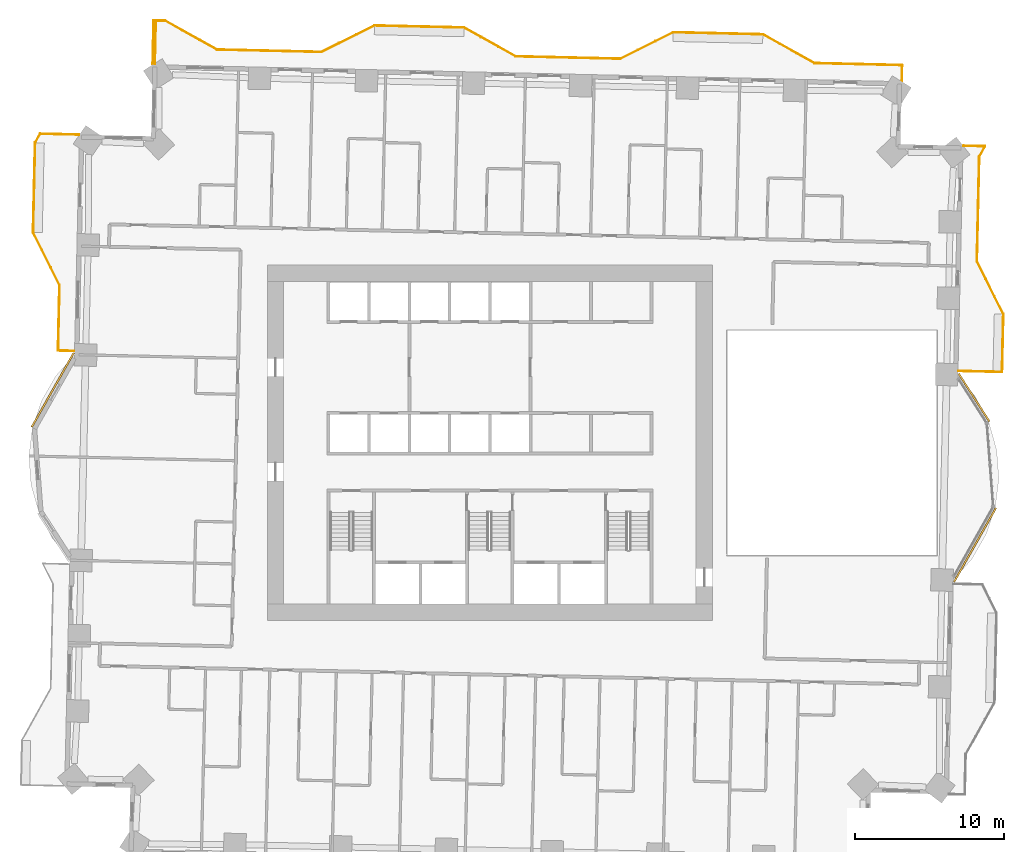
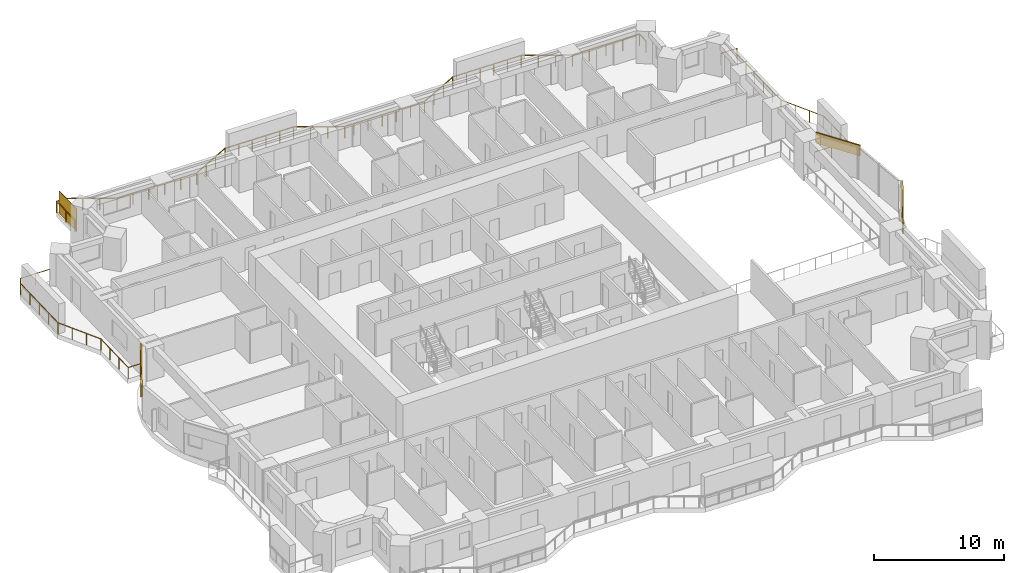
# One storey, part 19 of 19: 3 coverings, 3 railings, 1 shading device.
"""IFC4 building model written with IfcOpenShell, lengths in metres."""

from ifc_helpers import new_model, si_unit, direction, frame, frame_2d, origin, origin_2d, place, context, subcontext, project, spatial, rectangle, extrude, material, layer, layer_set, type_object, element, save


model = new_model("IFC4")

# Units and contexts
model_context = context("Model", 3, precision=1e-05, world=origin(), true_north=direction((0.0, 1.0)))
body_context = subcontext(model_context, "Body", "Model", "MODEL_VIEW")
ifc_project = project(units=[si_unit("LENGTHUNIT", "METRE"), si_unit("AREAUNIT", "SQUARE_METRE"), si_unit("VOLUMEUNIT", "CUBIC_METRE"), si_unit("PLANEANGLEUNIT", "RADIAN"), si_unit("MASSUNIT", "GRAM", prefix="KILO")], contexts=[model_context])

# Site, building, storey
site_placement = place(None, origin())
site = spatial("IfcSite", under=ifc_project, at=site_placement, CompositionType="ELEMENT")
building_placement = place(site_placement, origin())
building = spatial("IfcBuilding", under=site, at=building_placement, Name="Mangrove Gate Tower", CompositionType="ELEMENT")
storey_placement = place(building_placement, frame((0.0, 0.0, 63.89990234375)))
storey = spatial("IfcBuildingStorey", under=building, at=storey_placement, Name="L15", CompositionType="ELEMENT", Elevation=63.89990234375)

# Railings
ifc_material_1 = material(Name="Stainless steel grade 316 with laminated glass infill", Category="steel")
railing_type = type_object("IfcRailingType", Name="Balcony guard 1100", PredefinedType="GUARDRAIL", material=ifc_material_1)
railing_1_placement = place(storey_placement, frame((31.362060546875, 4.802001953125, 0.0)))
element("IfcRailing", 1, at=railing_1_placement, inside=storey, type_object=railing_type, Name="GUARD L15 E2", PredefinedType="GUARDRAIL", context=body_context, shape_type="SweptSolid", body=[
    extrude(rectangle(XDim=0.048095703125, YDim=0.048095703125, at=origin_2d()), frame((0.0, 0.0, 1.076171875), z_axis=(0.999743349437, -0.022654696127, 0.0), x_axis=(0.022654696127, 0.999743349437, 0.0)), (0.0, 0.0, 1.0), 2.90966796875),
    extrude(rectangle(XDim=0.048095703125, YDim=0.048095703125, at=origin_2d()), frame((2.908935546875, -0.06591796875, 1.076171875), z_axis=(0.022681332769, 0.999742745482, 0.0), x_axis=(-0.999742745482, 0.022681332769, 0.0)), (0.0, 0.0, 1.0), 3.875),
    extrude(rectangle(XDim=0.048095703125, YDim=0.048095703125, at=origin_2d()), frame((2.996826171875, 3.80810546875, 1.076171875), z_axis=(-0.447090238995, 0.89448885862, 0.0), x_axis=(-0.89448885862, -0.447090238995, 0.0)), (0.0, 0.0, 1.0), 3.95849609375),
    extrude(rectangle(XDim=0.048095703125, YDim=0.048095703125, at=origin_2d()), frame((1.22705078125, 7.348876953125, 1.076171875), z_axis=(0.022705559911, 0.999742195543, 0.0), x_axis=(-0.999742195543, 0.022705559911, 0.0)), (0.0, 0.0, 1.0), 6.999755859375),
    extrude(rectangle(XDim=0.048095703125, YDim=0.048095703125, at=origin_2d()), frame((1.385986328125, 14.346923828125, 1.076171875), z_axis=(0.487579417205, 0.873078640168, 0.0), x_axis=(-0.873078640168, 0.487579417205, 0.0)), (0.0, 0.0, 1.0), 0.791748046875),
    extrude(rectangle(XDim=0.048095703125, YDim=0.048095703125, at=origin_2d()), frame((1.77197265625, 15.0380859375, 1.076171875), z_axis=(-0.999749965901, 0.022360806818, 0.0), x_axis=(-0.022360806818, -0.999749965901, 0.0)), (0.0, 0.0, 1.0), 1.43017578125),
    extrude(rectangle(XDim=0.0419921875, YDim=0.0419921875, at=origin_2d()), origin(), (0.0, 0.0, 1.0), 1.052001953125),
    extrude(rectangle(XDim=0.0419921875, YDim=0.0419921875, at=origin_2d()), frame((1.45458984375, -0.032958984375, 0.0)), (0.0, 0.0, 1.0), 1.052001953125),
    extrude(rectangle(XDim=0.0419921875, YDim=0.0419921875, at=origin_2d()), frame((2.908935546875, -0.06591796875, 0.0)), (0.0, 0.0, 1.0), 1.052001953125),
    extrude(rectangle(XDim=0.0419921875, YDim=0.0419921875, at=origin_2d()), frame((2.938232421875, 1.225341796875, 0.0)), (0.0, 0.0, 1.0), 1.052001953125),
    extrude(rectangle(XDim=0.0419921875, YDim=0.0419921875, at=origin_2d()), frame((2.967529296875, 2.516845703125, 0.0)), (0.0, 0.0, 1.0), 1.052001953125),
    extrude(rectangle(XDim=0.0419921875, YDim=0.0419921875, at=origin_2d()), frame((2.996826171875, 3.80810546875, 0.0)), (0.0, 0.0, 1.0), 1.052001953125),
    extrude(rectangle(XDim=0.0419921875, YDim=0.0419921875, at=origin_2d()), frame((2.406982421875, 4.98828125, 0.0)), (0.0, 0.0, 1.0), 1.052001953125),
    extrude(rectangle(XDim=0.0419921875, YDim=0.0419921875, at=origin_2d()), frame((1.81689453125, 6.168701171875, 0.0)), (0.0, 0.0, 1.0), 1.052001953125),
    extrude(rectangle(XDim=0.0419921875, YDim=0.0419921875, at=origin_2d()), frame((1.22705078125, 7.348876953125, 0.0)), (0.0, 0.0, 1.0), 1.052001953125),
    extrude(rectangle(XDim=0.0419921875, YDim=0.0419921875, at=origin_2d()), frame((1.2587890625, 8.74853515625, 0.0)), (0.0, 0.0, 1.0), 1.052001953125),
    extrude(rectangle(XDim=0.0419921875, YDim=0.0419921875, at=origin_2d()), frame((1.29052734375, 10.148193359375, 0.0)), (0.0, 0.0, 1.0), 1.052001953125),
    extrude(rectangle(XDim=0.0419921875, YDim=0.0419921875, at=origin_2d()), frame((1.322509765625, 11.547607421875, 0.0)), (0.0, 0.0, 1.0), 1.052001953125),
    extrude(rectangle(XDim=0.0419921875, YDim=0.0419921875, at=origin_2d()), frame((1.354248046875, 12.947265625, 0.0)), (0.0, 0.0, 1.0), 1.052001953125),
    extrude(rectangle(XDim=0.0419921875, YDim=0.0419921875, at=origin_2d()), frame((1.385986328125, 14.346923828125, 0.0)), (0.0, 0.0, 1.0), 1.052001953125),
    extrude(rectangle(XDim=0.0419921875, YDim=0.0419921875, at=origin_2d()), frame((1.77197265625, 15.0380859375, 0.0)), (0.0, 0.0, 1.0), 1.052001953125),
    extrude(rectangle(XDim=0.0419921875, YDim=0.0419921875, at=origin_2d()), frame((0.342041015625, 15.070068359375, 0.0)), (0.0, 0.0, 1.0), 1.052001953125),
])
railing_2_placement = place(storey_placement, frame((27.56103515625, 24.2080078125, 0.0)))
element("IfcRailing", 2, at=railing_2_placement, inside=storey, type_object=railing_type, Name="GUARD L15 N1", PredefinedType="GUARDRAIL", context=body_context, shape_type="SweptSolid", body=[
    extrude(rectangle(XDim=0.048095703125, YDim=0.048095703125, at=origin_2d()), frame((0.0, 0.0, 1.076171875), z_axis=(0.022585293253, 0.999744919731, 0.0), x_axis=(-0.999744919731, 0.022585293253, 0.0)), (0.0, 0.0, 1.0), 1.059326171875),
    extrude(rectangle(XDim=0.048095703125, YDim=0.048095703125, at=origin_2d()), frame((0.02392578125, 1.05908203125, 1.076171875), z_axis=(-0.999740006418, 0.02280174485, 0.0), x_axis=(-0.02280174485, -0.999740006418, 0.0)), (0.0, 0.0, 1.0), 5.867431640625),
    extrude(rectangle(XDim=0.048095703125, YDim=0.048095703125, at=origin_2d()), frame((-5.842041015625, 1.19287109375, 1.076171875), z_axis=(-0.873335618354, 0.48711897696, 0.0), x_axis=(-0.48711897696, -0.873335618354, 0.0)), (0.0, 0.0, 1.0), 3.95849609375),
    extrude(rectangle(XDim=0.048095703125, YDim=0.048095703125, at=origin_2d()), frame((-9.299072265625, 3.12109375, 1.076171875), z_axis=(-0.999739477659, 0.022824916448, 0.0), x_axis=(-0.022824916448, -0.999739477659, 0.0)), (0.0, 0.0, 1.0), 6.00048828125),
    extrude(rectangle(XDim=0.048095703125, YDim=0.048095703125, at=origin_2d()), frame((-15.298095703125, 3.258056640625, 1.076171875), z_axis=(-0.894377854182, -0.447312255532, 0.0), x_axis=(0.447312255532, -0.894377854182, 0.0)), (0.0, 0.0, 1.0), 3.959228515625),
    extrude(rectangle(XDim=0.048095703125, YDim=0.048095703125, at=origin_2d()), frame((-18.839111328125, 1.487060546875, 1.076171875), z_axis=(-0.999741815214, 0.022722299893, 0.0), x_axis=(-0.022722299893, -0.999741815214, 0.0)), (0.0, 0.0, 1.0), 6.19970703125),
    extrude(rectangle(XDim=0.048095703125, YDim=0.048095703125, at=origin_2d()), frame((-25.037109375, 1.6279296875, 1.076171875), z_axis=(-0.999744976912, 0.022582761994, 0.0), x_axis=(-0.022582761994, -0.999744976912, 0.0)), (0.0, 0.0, 1.0), 0.800048828125),
    extrude(rectangle(XDim=0.048095703125, YDim=0.048095703125, at=origin_2d()), frame((-25.8369140625, 1.64599609375, 1.076171875), z_axis=(-0.87325689943, 0.48726008209, 0.0), x_axis=(-0.48726008209, -0.87325689943, 0.0)), (0.0, 0.0, 1.0), 3.958740234375),
    extrude(rectangle(XDim=0.048095703125, YDim=0.048095703125, at=origin_2d()), frame((-29.2939453125, 3.574951171875, 1.076171875), z_axis=(-0.999743178102, 0.022662255828, 0.0), x_axis=(-0.022662255828, -0.999743178102, 0.0)), (0.0, 0.0, 1.0), 6.00048828125),
    extrude(rectangle(XDim=0.048095703125, YDim=0.048095703125, at=origin_2d()), frame((-35.29296875, 3.7109375, 1.076171875), z_axis=(-0.894476522376, -0.447114919141, 0.0), x_axis=(0.447114919141, -0.894476522376, 0.0)), (0.0, 0.0, 1.0), 3.958740234375),
    extrude(rectangle(XDim=0.048095703125, YDim=0.048095703125, at=origin_2d()), frame((-38.833984375, 1.94091796875, 1.076171875), z_axis=(-0.999741403216, 0.022740419861, 0.0), x_axis=(-0.022740419861, -0.999741403216, 0.0)), (0.0, 0.0, 1.0), 6.999755859375),
    extrude(rectangle(XDim=0.048095703125, YDim=0.048095703125, at=origin_2d()), frame((-45.83203125, 2.10009765625, 1.076171875), z_axis=(-0.87325689943, 0.48726008209, 0.0), x_axis=(-0.48726008209, -0.87325689943, 0.0)), (0.0, 0.0, 1.0), 3.958740234375),
    extrude(rectangle(XDim=0.048095703125, YDim=0.048095703125, at=origin_2d()), frame((-49.2890625, 4.029052734375, 1.076171875), z_axis=(-0.999759566987, 0.021927339518, 0.0), x_axis=(-0.021927339518, -0.999759566987, 0.0)), (0.0, 0.0, 1.0), 0.768310546875),
    extrude(rectangle(XDim=0.048095703125, YDim=0.048095703125, at=origin_2d()), frame((-50.05712890625, 4.0458984375, 1.076171875), z_axis=(-0.022654696127, -0.999743349437, 0.0), x_axis=(0.999743349437, -0.022654696127, 0.0)), (0.0, 0.0, 1.0), 2.90966796875),
    extrude(rectangle(XDim=0.0419921875, YDim=0.0419921875, at=origin_2d()), origin(), (0.0, 0.0, 1.0), 1.052001953125),
    extrude(rectangle(XDim=0.0419921875, YDim=0.0419921875, at=origin_2d()), frame((0.02392578125, 1.05908203125, 0.0)), (0.0, 0.0, 1.0), 1.052001953125),
    extrude(rectangle(XDim=0.0419921875, YDim=0.0419921875, at=origin_2d()), frame((-1.442626953125, 1.092529296875, 0.0)), (0.0, 0.0, 1.0), 1.052001953125),
    extrude(rectangle(XDim=0.0419921875, YDim=0.0419921875, at=origin_2d()), frame((-2.9091796875, 1.1259765625, 0.0)), (0.0, 0.0, 1.0), 1.052001953125),
    extrude(rectangle(XDim=0.0419921875, YDim=0.0419921875, at=origin_2d()), frame((-4.37548828125, 1.159423828125, 0.0)), (0.0, 0.0, 1.0), 1.052001953125),
    extrude(rectangle(XDim=0.0419921875, YDim=0.0419921875, at=origin_2d()), frame((-5.842041015625, 1.19287109375, 0.0)), (0.0, 0.0, 1.0), 1.052001953125),
    extrude(rectangle(XDim=0.0419921875, YDim=0.0419921875, at=origin_2d()), frame((-6.994384765625, 1.835693359375, 0.0)), (0.0, 0.0, 1.0), 1.052001953125),
    extrude(rectangle(XDim=0.0419921875, YDim=0.0419921875, at=origin_2d()), frame((-8.146728515625, 2.478271484375, 0.0)), (0.0, 0.0, 1.0), 1.052001953125),
    extrude(rectangle(XDim=0.0419921875, YDim=0.0419921875, at=origin_2d()), frame((-9.299072265625, 3.12109375, 0.0)), (0.0, 0.0, 1.0), 1.052001953125),
    extrude(rectangle(XDim=0.0419921875, YDim=0.0419921875, at=origin_2d()), frame((-10.498779296875, 3.1484375, 0.0)), (0.0, 0.0, 1.0), 1.052001953125),
    extrude(rectangle(XDim=0.0419921875, YDim=0.0419921875, at=origin_2d()), frame((-11.69873046875, 3.17578125, 0.0)), (0.0, 0.0, 1.0), 1.052001953125),
    extrude(rectangle(XDim=0.0419921875, YDim=0.0419921875, at=origin_2d()), frame((-12.8984375, 3.203369140625, 0.0)), (0.0, 0.0, 1.0), 1.052001953125),
    extrude(rectangle(XDim=0.0419921875, YDim=0.0419921875, at=origin_2d()), frame((-14.098388671875, 3.230712890625, 0.0)), (0.0, 0.0, 1.0), 1.052001953125),
    extrude(rectangle(XDim=0.0419921875, YDim=0.0419921875, at=origin_2d()), frame((-15.298095703125, 3.258056640625, 0.0)), (0.0, 0.0, 1.0), 1.052001953125),
    extrude(rectangle(XDim=0.0419921875, YDim=0.0419921875, at=origin_2d()), frame((-16.478515625, 2.667724609375, 0.0)), (0.0, 0.0, 1.0), 1.052001953125),
    extrude(rectangle(XDim=0.0419921875, YDim=0.0419921875, at=origin_2d()), frame((-17.65869140625, 2.077392578125, 0.0)), (0.0, 0.0, 1.0), 1.052001953125),
    extrude(rectangle(XDim=0.0419921875, YDim=0.0419921875, at=origin_2d()), frame((-18.839111328125, 1.487060546875, 0.0)), (0.0, 0.0, 1.0), 1.052001953125),
    extrude(rectangle(XDim=0.0419921875, YDim=0.0419921875, at=origin_2d()), frame((-20.07861328125, 1.51513671875, 0.0)), (0.0, 0.0, 1.0), 1.052001953125),
    extrude(rectangle(XDim=0.0419921875, YDim=0.0419921875, at=origin_2d()), frame((-21.318359375, 1.54345703125, 0.0)), (0.0, 0.0, 1.0), 1.052001953125),
    extrude(rectangle(XDim=0.0419921875, YDim=0.0419921875, at=origin_2d()), frame((-22.557861328125, 1.571533203125, 0.0)), (0.0, 0.0, 1.0), 1.052001953125),
    extrude(rectangle(XDim=0.0419921875, YDim=0.0419921875, at=origin_2d()), frame((-23.797607421875, 1.599853515625, 0.0)), (0.0, 0.0, 1.0), 1.052001953125),
    extrude(rectangle(XDim=0.0419921875, YDim=0.0419921875, at=origin_2d()), frame((-25.037109375, 1.6279296875, 0.0)), (0.0, 0.0, 1.0), 1.052001953125),
    extrude(rectangle(XDim=0.0419921875, YDim=0.0419921875, at=origin_2d()), frame((-25.8369140625, 1.64599609375, 0.0)), (0.0, 0.0, 1.0), 1.052001953125),
    extrude(rectangle(XDim=0.0419921875, YDim=0.0419921875, at=origin_2d()), frame((-26.9892578125, 2.2890625, 0.0)), (0.0, 0.0, 1.0), 1.052001953125),
    extrude(rectangle(XDim=0.0419921875, YDim=0.0419921875, at=origin_2d()), frame((-28.1416015625, 2.931884765625, 0.0)), (0.0, 0.0, 1.0), 1.052001953125),
    extrude(rectangle(XDim=0.0419921875, YDim=0.0419921875, at=origin_2d()), frame((-29.2939453125, 3.574951171875, 0.0)), (0.0, 0.0, 1.0), 1.052001953125),
    extrude(rectangle(XDim=0.0419921875, YDim=0.0419921875, at=origin_2d()), frame((-30.49365234375, 3.60205078125, 0.0)), (0.0, 0.0, 1.0), 1.052001953125),
    extrude(rectangle(XDim=0.0419921875, YDim=0.0419921875, at=origin_2d()), frame((-31.693603515625, 3.62939453125, 0.0)), (0.0, 0.0, 1.0), 1.052001953125),
    extrude(rectangle(XDim=0.0419921875, YDim=0.0419921875, at=origin_2d()), frame((-32.893310546875, 3.656494140625, 0.0)), (0.0, 0.0, 1.0), 1.052001953125),
    extrude(rectangle(XDim=0.0419921875, YDim=0.0419921875, at=origin_2d()), frame((-34.09326171875, 3.683837890625, 0.0)), (0.0, 0.0, 1.0), 1.052001953125),
    extrude(rectangle(XDim=0.0419921875, YDim=0.0419921875, at=origin_2d()), frame((-35.29296875, 3.7109375, 0.0)), (0.0, 0.0, 1.0), 1.052001953125),
    extrude(rectangle(XDim=0.0419921875, YDim=0.0419921875, at=origin_2d()), frame((-36.473388671875, 3.120849609375, 0.0)), (0.0, 0.0, 1.0), 1.052001953125),
    extrude(rectangle(XDim=0.0419921875, YDim=0.0419921875, at=origin_2d()), frame((-37.653564453125, 2.531005859375, 0.0)), (0.0, 0.0, 1.0), 1.052001953125),
    extrude(rectangle(XDim=0.0419921875, YDim=0.0419921875, at=origin_2d()), frame((-38.833984375, 1.94091796875, 0.0)), (0.0, 0.0, 1.0), 1.052001953125),
    extrude(rectangle(XDim=0.0419921875, YDim=0.0419921875, at=origin_2d()), frame((-40.233642578125, 1.97265625, 0.0)), (0.0, 0.0, 1.0), 1.052001953125),
    extrude(rectangle(XDim=0.0419921875, YDim=0.0419921875, at=origin_2d()), frame((-41.63330078125, 2.004638671875, 0.0)), (0.0, 0.0, 1.0), 1.052001953125),
    extrude(rectangle(XDim=0.0419921875, YDim=0.0419921875, at=origin_2d()), frame((-43.03271484375, 2.036376953125, 0.0)), (0.0, 0.0, 1.0), 1.052001953125),
    extrude(rectangle(XDim=0.0419921875, YDim=0.0419921875, at=origin_2d()), frame((-44.432373046875, 2.068359375, 0.0)), (0.0, 0.0, 1.0), 1.052001953125),
    extrude(rectangle(XDim=0.0419921875, YDim=0.0419921875, at=origin_2d()), frame((-45.83203125, 2.10009765625, 0.0)), (0.0, 0.0, 1.0), 1.052001953125),
    extrude(rectangle(XDim=0.0419921875, YDim=0.0419921875, at=origin_2d()), frame((-46.984375, 2.7431640625, 0.0)), (0.0, 0.0, 1.0), 1.052001953125),
    extrude(rectangle(XDim=0.0419921875, YDim=0.0419921875, at=origin_2d()), frame((-48.13671875, 3.385986328125, 0.0)), (0.0, 0.0, 1.0), 1.052001953125),
    extrude(rectangle(XDim=0.0419921875, YDim=0.0419921875, at=origin_2d()), frame((-49.2890625, 4.029052734375, 0.0)), (0.0, 0.0, 1.0), 1.052001953125),
    extrude(rectangle(XDim=0.0419921875, YDim=0.0419921875, at=origin_2d()), frame((-50.05712890625, 4.0458984375, 0.0)), (0.0, 0.0, 1.0), 1.052001953125),
    extrude(rectangle(XDim=0.0419921875, YDim=0.0419921875, at=origin_2d()), frame((-50.090087890625, 2.59130859375, 0.0)), (0.0, 0.0, 1.0), 1.052001953125),
    extrude(rectangle(XDim=0.0419921875, YDim=0.0419921875, at=origin_2d()), frame((-50.123046875, 1.136962890625, 0.0)), (0.0, 0.0, 1.0), 1.052001953125),
])
railing_3_placement = place(storey_placement, frame((-27.510009765625, 20.615966796875, 0.0)))
element("IfcRailing", 3, at=railing_3_placement, inside=storey, type_object=railing_type, Name="GUARD L15 W1", PredefinedType="GUARDRAIL", context=body_context, shape_type="SweptSolid", body=[
    extrude(rectangle(XDim=0.048095703125, YDim=0.048095703125, at=origin_2d()), frame((0.0, 0.0, 1.076171875), z_axis=(-0.999740521811, 0.022779136266, 0.0), x_axis=(-0.022779136266, -0.999740521811, 0.0)), (0.0, 0.0, 1.0), 2.59375),
    extrude(rectangle(XDim=0.048095703125, YDim=0.048095703125, at=origin_2d()), frame((-2.593017578125, 0.05908203125, 1.076171875), z_axis=(-0.48634525195, -0.873766728541, 0.0), x_axis=(0.873766728541, -0.48634525195, 0.0)), (0.0, 0.0, 1.0), 0.6787109375),
    extrude(rectangle(XDim=0.048095703125, YDim=0.048095703125, at=origin_2d()), frame((-2.923095703125, -0.533935546875, 1.076171875), z_axis=(-0.022665943652, -0.999743094499, 0.0), x_axis=(0.999743094499, -0.022665943652, 0.0)), (0.0, 0.0, 1.0), 5.99951171875),
    extrude(rectangle(XDim=0.048095703125, YDim=0.048095703125, at=origin_2d()), frame((-3.05908203125, -6.531982421875, 1.076171875), z_axis=(0.447114919141, -0.894476522376, 0.0), x_axis=(0.894476522376, 0.447114919141, 0.0)), (0.0, 0.0, 1.0), 3.958740234375),
    extrude(rectangle(XDim=0.048095703125, YDim=0.048095703125, at=origin_2d()), frame((-1.2890625, -10.072998046875, 1.076171875), z_axis=(-0.022599718713, -0.999744593741, 0.0), x_axis=(0.999744593741, -0.022599718713, 0.0)), (0.0, 0.0, 1.0), 4.375244140625),
    extrude(rectangle(XDim=0.048095703125, YDim=0.048095703125, at=origin_2d()), frame((-1.387939453125, -14.447021484375, 1.076171875), z_axis=(0.999744802133, -0.022590498181, 0.0), x_axis=(0.022590498181, 0.999744802133, 0.0)), (0.0, 0.0, 1.0), 1.05908203125),
    extrude(rectangle(XDim=0.0419921875, YDim=0.0419921875, at=origin_2d()), origin(), (0.0, 0.0, 1.0), 1.052001953125),
    extrude(rectangle(XDim=0.0419921875, YDim=0.0419921875, at=origin_2d()), frame((-1.29638671875, 0.029541015625, 0.0)), (0.0, 0.0, 1.0), 1.052001953125),
    extrude(rectangle(XDim=0.0419921875, YDim=0.0419921875, at=origin_2d()), frame((-2.593017578125, 0.05908203125, 0.0)), (0.0, 0.0, 1.0), 1.052001953125),
    extrude(rectangle(XDim=0.0419921875, YDim=0.0419921875, at=origin_2d()), frame((-2.923095703125, -0.533935546875, 0.0)), (0.0, 0.0, 1.0), 1.052001953125),
    extrude(rectangle(XDim=0.0419921875, YDim=0.0419921875, at=origin_2d()), frame((-2.95703125, -2.033447265625, 0.0)), (0.0, 0.0, 1.0), 1.052001953125),
    extrude(rectangle(XDim=0.0419921875, YDim=0.0419921875, at=origin_2d()), frame((-2.9912109375, -3.532958984375, 0.0)), (0.0, 0.0, 1.0), 1.052001953125),
    extrude(rectangle(XDim=0.0419921875, YDim=0.0419921875, at=origin_2d()), frame((-3.025146484375, -5.032470703125, 0.0)), (0.0, 0.0, 1.0), 1.052001953125),
    extrude(rectangle(XDim=0.0419921875, YDim=0.0419921875, at=origin_2d()), frame((-3.05908203125, -6.531982421875, 0.0)), (0.0, 0.0, 1.0), 1.052001953125),
    extrude(rectangle(XDim=0.0419921875, YDim=0.0419921875, at=origin_2d()), frame((-2.468994140625, -7.71240234375, 0.0)), (0.0, 0.0, 1.0), 1.052001953125),
    extrude(rectangle(XDim=0.0419921875, YDim=0.0419921875, at=origin_2d()), frame((-1.879150390625, -8.892578125, 0.0)), (0.0, 0.0, 1.0), 1.052001953125),
    extrude(rectangle(XDim=0.0419921875, YDim=0.0419921875, at=origin_2d()), frame((-1.2890625, -10.072998046875, 0.0)), (0.0, 0.0, 1.0), 1.052001953125),
    extrude(rectangle(XDim=0.0419921875, YDim=0.0419921875, at=origin_2d()), frame((-1.322021484375, -11.531005859375, 0.0)), (0.0, 0.0, 1.0), 1.052001953125),
    extrude(rectangle(XDim=0.0419921875, YDim=0.0419921875, at=origin_2d()), frame((-1.35498046875, -12.989013671875, 0.0)), (0.0, 0.0, 1.0), 1.052001953125),
    extrude(rectangle(XDim=0.0419921875, YDim=0.0419921875, at=origin_2d()), frame((-1.387939453125, -14.447021484375, 0.0)), (0.0, 0.0, 1.0), 1.052001953125),
    extrude(rectangle(XDim=0.0419921875, YDim=0.0419921875, at=origin_2d()), frame((-0.3291015625, -14.470947265625, 0.0)), (0.0, 0.0, 1.0), 1.052001953125),
])

# Shading device
ifc_material_2 = material(Name="Timber slat screen in teak", Category="wood")
shading_device_type = type_object("IfcShadingDeviceType", Name="Balcony screen 2100", PredefinedType="USERDEFINED", material=ifc_material_2)
shading_device_placement = place(storey_placement, frame((-22.39111328125, 26.716064453125, 0.0), z_axis=(0.0, 0.0, 1.0), x_axis=(0.022739679942, 0.999741420046, 0.0)))
element("IfcShadingDevice", 4, at=shading_device_placement, inside=storey, type_object=shading_device_type, Name="SCREEN L15 N1", ObjectType="SCREEN", PredefinedType="USERDEFINED", context=body_context, shape_type="SweptSolid", body=[
    extrude(rectangle(XDim=2.7900390625, YDim=0.050048828125, at=origin_2d()), origin(), (0.0, 0.0, 1.0), 2.10009765625),
])

# Coverings
ifc_material_3 = material(Name="Limestone", Category="masonry")
ifc_layer_1 = layer(ifc_material_3, 0.0400390625, Name="Limestone cladding")
ifc_material_4 = material(Name="Stainless steel anchors and cavity", Category="steel")
ifc_layer_2 = layer(ifc_material_4, 0.080078125, Name="Fixing cavity")
ifc_layer_set = layer_set([ifc_layer_1, ifc_layer_2], Name="Joint fascia cladding 120")
covering_type = type_object("IfcCoveringType", Name="Joint fascia cladding 120", PredefinedType="CLADDING", material=ifc_layer_set)
covering_1_placement = place(storey_placement, frame((31.052001953125, -9.320068359375, 2.050048828125), z_axis=(0.0, 0.0, 1.0), x_axis=(0.492549299416, 0.870284544069, 0.0)))
element("IfcCovering", 5, at=covering_1_placement, inside=storey, type_object=covering_type, Name="STONE FASCIA L15 E1.L1", PredefinedType="CLADDING", context=body_context, shape_type="SweptSolid", body=[
    extrude(rectangle(XDim=5.705078125, YDim=0.1201171875, at=frame_2d((2.8525390625, 0.0))), origin(), (0.0, 0.0, 1.0), 1.0),
])
covering_2_placement = place(storey_placement, frame((33.426025390625, 1.4189453125, 2.050048828125), z_axis=(0.0, 0.0, 1.0), x_axis=(-0.540457066708, 0.841371593914, 0.0)))
element("IfcCovering", 6, at=covering_2_placement, inside=storey, type_object=covering_type, Name="STONE FASCIA L15 E1.L2", PredefinedType="CLADDING", context=body_context, shape_type="SweptSolid", body=[
    extrude(rectangle(XDim=3.81884765625, YDim=0.1201171875, at=frame_2d((1.909423828125, 0.0))), origin(), (0.0, 0.0, 1.0), 1.0),
])
covering_3_placement = place(storey_placement, frame((-27.85205078125, 6.02001953125, 2.050048828125), z_axis=(0.0, 0.0, 1.0), x_axis=(-0.492549299416, -0.870284544069, 0.0)))
element("IfcCovering", 7, at=covering_3_placement, inside=storey, type_object=covering_type, Name="STONE FASCIA L15 W9.L1", PredefinedType="CLADDING", context=body_context, shape_type="SweptSolid", body=[
    extrude(rectangle(XDim=5.705078125, YDim=0.1201171875, at=frame_2d((2.8525390625, 0.0))), origin(), (0.0, 0.0, 1.0), 1.0),
])

save(model, "model.ifc")
